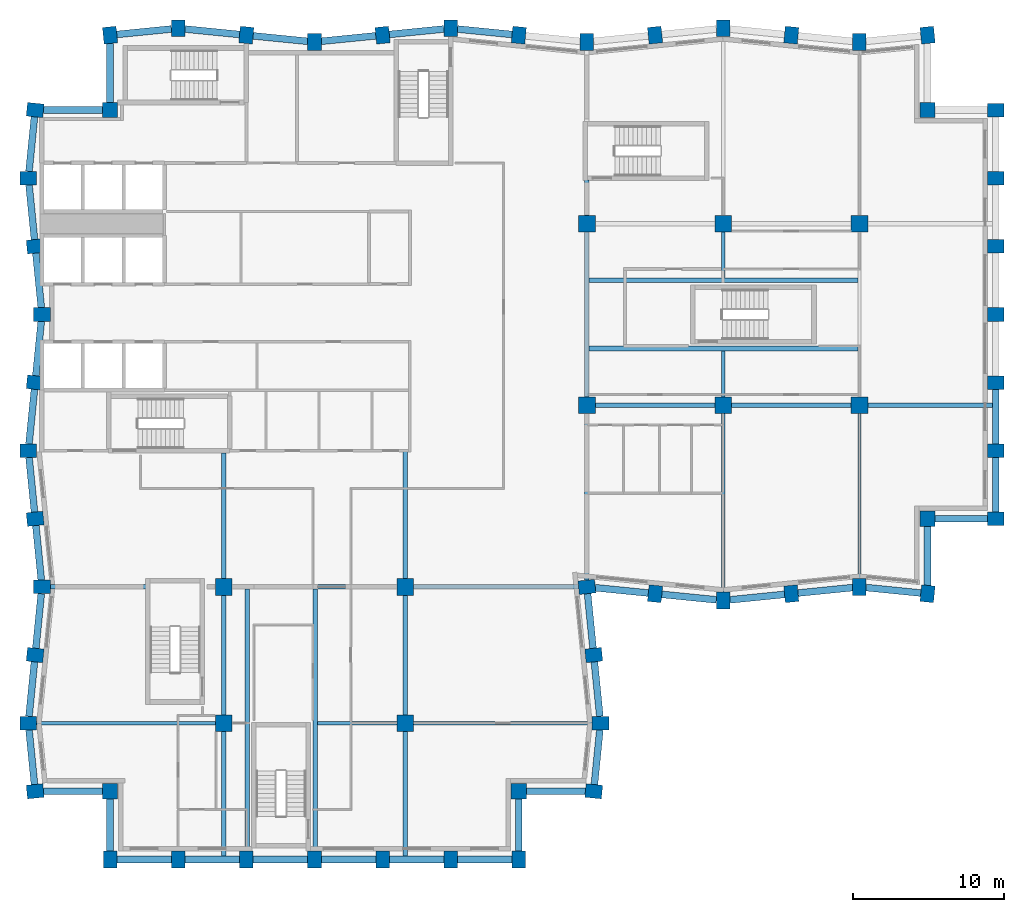
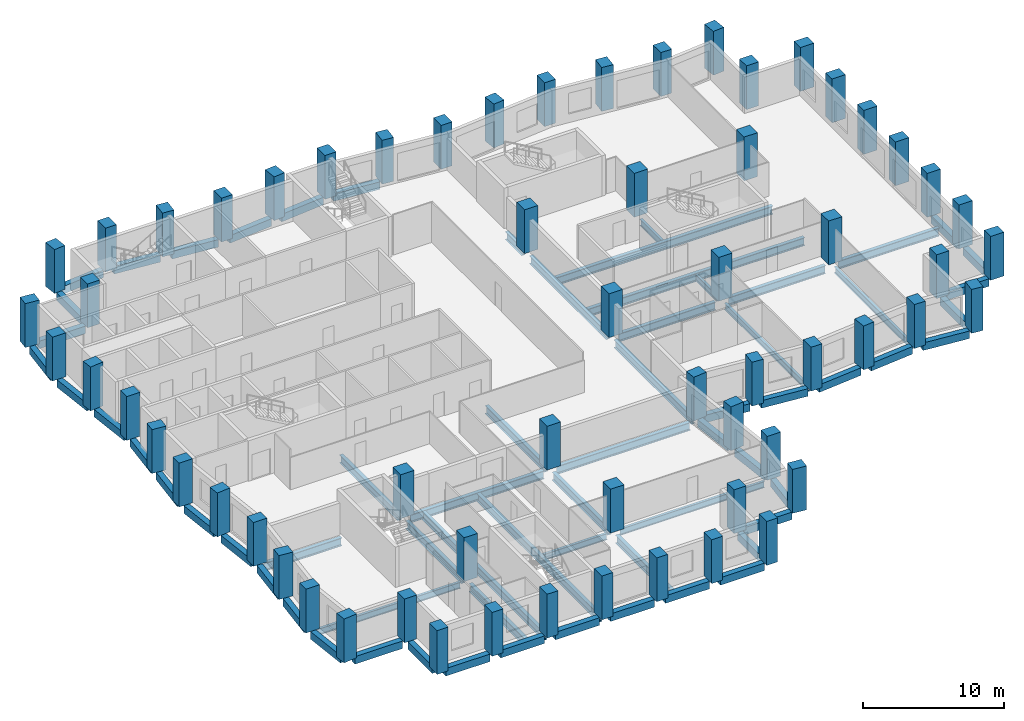
# One storey, part 1 of 10: 66 beams, 62 columns.
"""IFC4 building model written with IfcOpenShell, lengths in metres."""

from ifc_helpers import new_model, si_unit, direction, frame, origin, origin_2d, place, context, subcontext, project, spatial, rectangle, i_section, extrude, material, material_profile, profile_set, type_object, element, save


model = new_model("IFC4")

# Units and contexts
model_context = context("Model", 3, precision=1e-05, world=origin(), true_north=direction((0.0, 1.0)))
body_context = subcontext(model_context, "Body", "Model", "MODEL_VIEW")
ifc_project = project(units=[si_unit("LENGTHUNIT", "METRE"), si_unit("AREAUNIT", "SQUARE_METRE"), si_unit("VOLUMEUNIT", "CUBIC_METRE"), si_unit("PLANEANGLEUNIT", "RADIAN"), si_unit("MASSUNIT", "GRAM", prefix="KILO")], contexts=[model_context])

# Site, building, storey
site_placement = place(None, origin())
site = spatial("IfcSite", under=ifc_project, at=site_placement, CompositionType="ELEMENT")
building_placement = place(site_placement, origin())
building = spatial("IfcBuilding", under=site, at=building_placement, Name="Brondeck Convention Tower", CompositionType="ELEMENT")
storey_placement = place(building_placement, frame((0.0, 0.0, 151.0)))
storey = spatial("IfcBuildingStorey", under=building, at=storey_placement, Name="L36", CompositionType="ELEMENT", Elevation=151.0)

# Columns
ifc_material_1 = material(Name="Concrete C70/85", Category="concrete")
ifc_material_profile_1 = material_profile(ifc_material_1, rectangle(XDim=1.0, YDim=1.0, at=origin_2d()), Name="Corner column 1000x1000 Concrete C70/85")
ifc_profile_set_1 = profile_set([ifc_material_profile_1], Name="Concrete C70/85")
column_type_1 = type_object("IfcColumnType", Name="Corner column 1000x1000 Concrete C70/85", PredefinedType="COLUMN", material=ifc_profile_set_1)
for number, where, z_axis, x_axis, name in (
    (1, (4.5, 13.5, 0.0), (0.0, 0.0, 1.0), (1.0, 0.0, 0.0), "STR-COL-L36-NC-SWB9"),
    (2, (31.5, 13.5, 0.0), (0.0, 0.0, 1.0), (1.0, 0.0, 0.0), "STR-COL-L36-NC-SEB9"),
    (3, (58.5, 31.5, 0.0), (0.0, 0.0, 1.0), (1.0, 0.0, 0.0), "STR-COL-L36-NC-SEA63"),
    (4, (58.5, 58.5, 0.0), (0.0, 0.0, 1.0), (1.0, 0.0, 0.0), "STR-COL-L36-NC-NEA63"),
    (5, (4.5, 58.5, 0.0), (0.0, 0.0, 1.0), (1.0, 0.0, 0.0), "STR-COL-L36-NC-NW"),
):
    element("IfcColumn", number, at=place(storey_placement, frame(where, z_axis=z_axis, x_axis=x_axis)), inside=storey, type_object=column_type_1, Name=name, PredefinedType="COLUMN", context=body_context, shape_type="SweptSolid", body=[
        extrude(rectangle(XDim=1.0, YDim=1.0, at=origin_2d()), origin(), (0.0, 0.0, 1.0), 3.800048828125),
    ])
ifc_material_profile_2 = material_profile(ifc_material_1, rectangle(XDim=1.10009765625, YDim=1.10009765625, at=origin_2d()), Name="Interior column 1100x1100 Concrete C70/85")
ifc_profile_set_2 = profile_set([ifc_material_profile_2], Name="Concrete C70/85")
column_type_2 = type_object("IfcColumnType", Name="Interior column 1100x1100 Concrete C70/85", PredefinedType="COLUMN", material=ifc_profile_set_2)
for number, where, z_axis, x_axis, name in (
    (6, (12.0, 18.0, 0.0), (0.0, 0.0, 1.0), (1.0, 0.0, 0.0), "STR-COL-L36-IC-02"),
    (7, (12.0, 27.0, 0.0), (0.0, 0.0, 1.0), (1.0, 0.0, 0.0), "STR-COL-L36-IC-03"),
    (8, (24.0, 18.0, 0.0), (0.0, 0.0, 1.0), (1.0, 0.0, 0.0), "STR-COL-L36-IC-05"),
    (9, (24.0, 27.0, 0.0), (0.0, 0.0, 1.0), (1.0, 0.0, 0.0), "STR-COL-L36-IC-06"),
    (10, (36.0, 39.0, 0.0), (0.0, 0.0, 1.0), (1.0, 0.0, 0.0), "STR-COL-L36-IC-07"),
    (11, (36.0, 51.0, 0.0), (0.0, 0.0, 1.0), (1.0, 0.0, 0.0), "STR-COL-L36-IC-08"),
    (12, (45.0, 39.0, 0.0), (0.0, 0.0, 1.0), (1.0, 0.0, 0.0), "STR-COL-L36-IC-09"),
    (13, (45.0, 51.0, 0.0), (0.0, 0.0, 1.0), (1.0, 0.0, 0.0), "STR-COL-L36-IC-10"),
    (14, (54.0, 39.0, 0.0), (0.0, 0.0, 1.0), (1.0, 0.0, 0.0), "STR-COL-L36-IC-11"),
    (15, (54.0, 51.0, 0.0), (0.0, 0.0, 1.0), (1.0, 0.0, 0.0), "STR-COL-L36-IC-12"),
):
    element("IfcColumn", number, at=place(storey_placement, frame(where, z_axis=z_axis, x_axis=x_axis)), inside=storey, type_object=column_type_2, Name=name, PredefinedType="COLUMN", context=body_context, shape_type="SweptSolid", body=[
        extrude(rectangle(XDim=1.10009765625, YDim=1.10009765625, at=origin_2d()), origin(), (0.0, 0.0, 1.0), 3.800048828125),
    ])
ifc_material_profile_3 = material_profile(ifc_material_1, rectangle(XDim=0.89990234375, YDim=1.10009765625, at=origin_2d()), Name="Perimeter pier 900x1100 Concrete C70/85")
ifc_profile_set_3 = profile_set([ifc_material_profile_3], Name="Concrete C70/85")
column_type_3 = type_object("IfcColumnType", Name="Perimeter pier 900x1100 Concrete C70/85", PredefinedType="COLUMN", material=ifc_profile_set_3)
for number, where, z_axis, x_axis, name in (
    (16, (4.5, 9.0, 0.0), (0.0, 0.0, 1.0), (1.0, 0.0, 0.0), "STR-COL-L36-PC-B-S9-01"),
    (17, (9.0, 9.0, 0.0), (0.0, 0.0, 1.0), (1.0, 0.0, 0.0), "STR-COL-L36-PC-B-S9-02"),
    (18, (13.5, 9.0, 0.0), (0.0, 0.0, 1.0), (1.0, 0.0, 0.0), "STR-COL-L36-PC-B-S9-03"),
    (19, (18.0, 9.0, 0.0), (0.0, 0.0, 1.0), (1.0, 0.0, 0.0), "STR-COL-L36-PC-B-S9-04"),
    (20, (22.5, 9.0, 0.0), (0.0, 0.0, 1.0), (1.0, 0.0, 0.0), "STR-COL-L36-PC-B-S9-05"),
    (21, (27.0, 9.0, 0.0), (0.0, 0.0, 1.0), (1.0, 0.0, 0.0), "STR-COL-L36-PC-B-S9-06"),
    (22, (31.5, 9.0, 0.0), (0.0, 0.0, 1.0), (1.0, 0.0, 0.0), "STR-COL-L36-PC-B-S9-07"),
    (23, (36.449951171875, 13.5, 0.0), (0.0, 0.0, 1.0), (0.0995038382, 0.995037178292, 0.0), "STR-COL-L36-PC-B-E-03"),
    (24, (36.89990234375, 18.0, 0.0), (0.0, 0.0, 1.0), (0.0, 1.0, 0.0), "STR-COL-L36-PC-B-E-02"),
    (25, (36.449951171875, 22.5, 0.0), (0.0, 0.0, 1.0), (-0.0995038382, 0.995037178292, 0.0), "STR-COL-L36-PC-B-E-01"),
    (26, (36.0, 27.0, 0.0), (0.0, 0.0, 1.0), (-0.0995038382, 0.995037178292, 0.0), "STR-COL-L36-PC-B-E-00"),
    (27, (40.5, 26.550048828125, 0.0), (0.0, 0.0, 1.0), (0.995037178292, -0.0995038382, 0.0), "STR-COL-L36-PC-A-S-01"),
    (28, (45.0, 26.10009765625, 0.0), (0.0, 0.0, 1.0), (1.0, 0.0, 0.0), "STR-COL-L36-PC-A-S-02"),
    (29, (49.5, 26.550048828125, 0.0), (0.0, 0.0, 1.0), (0.995037178292, 0.0995038382, 0.0), "STR-COL-L36-PC-A-S-03"),
    (30, (54.0, 27.0, 0.0), (0.0, 0.0, 1.0), (1.0, 0.0, 0.0), "STR-COL-L36-PC-A-S-04"),
    (31, (58.5, 26.550048828125, 0.0), (0.0, 0.0, 1.0), (0.995037178292, -0.0995038382, 0.0), "STR-COL-L36-PC-A-S-05"),
    (32, (63.0, 31.5, 0.0), (0.0, 0.0, 1.0), (0.0, 1.0, 0.0), "STR-COL-L36-PC-A-E63-01"),
    (33, (63.0, 36.0, 0.0), (0.0, 0.0, 1.0), (0.0, 1.0, 0.0), "STR-COL-L36-PC-A-E63-02"),
    (34, (63.0, 40.5, 0.0), (0.0, 0.0, 1.0), (0.0, 1.0, 0.0), "STR-COL-L36-PC-A-E63-03"),
    (35, (63.0, 45.0, 0.0), (0.0, 0.0, 1.0), (0.0, 1.0, 0.0), "STR-COL-L36-PC-A-E63-04"),
    (36, (63.0, 49.5, 0.0), (0.0, 0.0, 1.0), (0.0, 1.0, 0.0), "STR-COL-L36-PC-A-E63-05"),
    (37, (63.0, 54.0, 0.0), (0.0, 0.0, 1.0), (0.0, 1.0, 0.0), "STR-COL-L36-PC-A-E63-06"),
    (38, (63.0, 58.5, 0.0), (0.0, 0.0, 1.0), (0.0, 1.0, 0.0), "STR-COL-L36-PC-A-E63-07"),
    (39, (58.5, 63.449951171875, 0.0), (0.0, 0.0, 1.0), (-0.995037178292, -0.0995038382, 0.0), "STR-COL-L36-PC-A-N-13"),
    (40, (54.0, 63.0, 0.0), (0.0, 0.0, 1.0), (-1.0, 0.0, 0.0), "STR-COL-L36-PC-A-N-12"),
    (41, (49.5, 63.449951171875, 0.0), (0.0, 0.0, 1.0), (-0.995037178292, 0.0995038382, 0.0), "STR-COL-L36-PC-A-N-11"),
    (42, (45.0, 63.89990234375, 0.0), (0.0, 0.0, 1.0), (-1.0, 0.0, 0.0), "STR-COL-L36-PC-A-N-10"),
    (43, (40.5, 63.449951171875, 0.0), (0.0, 0.0, 1.0), (-0.995037178292, -0.0995038382, 0.0), "STR-COL-L36-PC-A-N-09"),
    (44, (36.0, 63.0, 0.0), (0.0, 0.0, 1.0), (-1.0, 0.0, 0.0), "STR-COL-L36-PC-A-N-08"),
    (45, (31.5, 63.449951171875, 0.0), (0.0, 0.0, 1.0), (-0.995037178292, 0.0995038382, 0.0), "STR-COL-L36-PC-A-N-07"),
    (46, (27.0, 63.89990234375, 0.0), (0.0, 0.0, 1.0), (-1.0, 0.0, 0.0), "STR-COL-L36-PC-A-N-06"),
    (47, (22.5, 63.449951171875, 0.0), (0.0, 0.0, 1.0), (-0.995037178292, -0.0995038382, 0.0), "STR-COL-L36-PC-A-N-05"),
    (48, (18.0, 63.0, 0.0), (0.0, 0.0, 1.0), (-1.0, 0.0, 0.0), "STR-COL-L36-PC-A-N-04"),
    (49, (13.5, 63.449951171875, 0.0), (0.0, 0.0, 1.0), (-0.995037178292, 0.0995038382, 0.0), "STR-COL-L36-PC-A-N-03"),
    (50, (9.0, 63.89990234375, 0.0), (0.0, 0.0, 1.0), (-1.0, 0.0, 0.0), "STR-COL-L36-PC-A-N-02"),
    (51, (4.5, 63.449951171875, 0.0), (0.0, 0.0, 1.0), (-0.995037178292, -0.0995038382, 0.0), "STR-COL-L36-PC-A-N-01"),
    (52, (-0.449951171875, 58.5, 0.0), (0.0, 0.0, 1.0), (-0.0995038382, -0.995037178292, 0.0), "STR-COL-L36-PC-B-W-01"),
    (53, (-0.89990234375, 54.0, 0.0), (0.0, 0.0, 1.0), (0.0, -1.0, 0.0), "STR-COL-L36-PC-B-W-02"),
    (54, (-0.449951171875, 49.5, 0.0), (0.0, 0.0, 1.0), (0.0995038382, -0.995037178292, 0.0), "STR-COL-L36-PC-B-W-03"),
    (55, (0.0, 45.0, 0.0), (0.0, 0.0, 1.0), (0.0, -1.0, 0.0), "STR-COL-L36-PC-B-W-04"),
    (56, (-0.449951171875, 40.5, 0.0), (0.0, 0.0, 1.0), (-0.0995038382, -0.995037178292, 0.0), "STR-COL-L36-PC-B-W-05"),
    (57, (-0.89990234375, 36.0, 0.0), (0.0, 0.0, 1.0), (0.0, -1.0, 0.0), "STR-COL-L36-PC-B-W-06"),
    (58, (-0.449951171875, 31.5, 0.0), (0.0, 0.0, 1.0), (0.0995038382, -0.995037178292, 0.0), "STR-COL-L36-PC-B-W-07"),
    (59, (0.0, 27.0, 0.0), (0.0, 0.0, 1.0), (0.0, -1.0, 0.0), "STR-COL-L36-PC-B-W-08"),
    (60, (-0.449951171875, 22.5, 0.0), (0.0, 0.0, 1.0), (-0.0995038382, -0.995037178292, 0.0), "STR-COL-L36-PC-B-W-09"),
    (61, (-0.89990234375, 18.0, 0.0), (0.0, 0.0, 1.0), (0.0, -1.0, 0.0), "STR-COL-L36-PC-B-W-10"),
    (62, (-0.449951171875, 13.5, 0.0), (0.0, 0.0, 1.0), (0.0995038382, -0.995037178292, 0.0), "STR-COL-L36-PC-B-W-11"),
):
    element("IfcColumn", number, at=place(storey_placement, frame(where, z_axis=z_axis, x_axis=x_axis)), inside=storey, type_object=column_type_3, Name=name, PredefinedType="COLUMN", context=body_context, shape_type="SweptSolid", body=[
        extrude(rectangle(XDim=0.89990234375, YDim=1.10009765625, at=origin_2d()), origin(), (0.0, 0.0, 1.0), 3.800048828125),
    ])

# Beams
ifc_material_2 = material(Name="Steel S355", Category="steel")
ifc_material_profile_4 = material_profile(ifc_material_2, i_section(OverallWidth=0.2099609375, OverallDepth=0.550048828125, WebThickness=0.010986328125, FlangeThickness=0.01708984375, FilletRadius=0.02392578125, at=origin_2d()), Name="IPE 550")
ifc_profile_set_4 = profile_set([ifc_material_profile_4], Name="Steel S355")
beam_type_1 = type_object("IfcBeamType", Name="Floor beam IPE 550", PredefinedType="BEAM", material=ifc_profile_set_4)
beam_1_placement = place(storey_placement, frame((45.0, 26.64990234375, -0.574951171875), z_axis=(0.0, 1.0, 0.0), x_axis=(-1.0, 0.0, 0.0)))
element("IfcBeam", 63, at=beam_1_placement, inside=storey, type_object=beam_type_1, Name="STR-FB-L36-001", PredefinedType="BEAM", context=body_context, shape_type="SweptSolid", body=[
    extrude(i_section(OverallWidth=0.2099609375, OverallDepth=0.550048828125, WebThickness=0.010986328125, FlangeThickness=0.01708984375, FilletRadius=0.02392578125, at=origin_2d()), origin(), (0.0, 0.0, 1.0), 11.800048828125),
])
beam_2_placement = place(storey_placement, frame((54.0, 27.550048828125, -0.574951171875), z_axis=(0.0, 1.0, 0.0), x_axis=(-1.0, 0.0, 0.0)))
element("IfcBeam", 64, at=beam_2_placement, inside=storey, type_object=beam_type_1, Name="STR-FB-L36-003", PredefinedType="BEAM", context=body_context, shape_type="SweptSolid", body=[
    extrude(i_section(OverallWidth=0.2099609375, OverallDepth=0.550048828125, WebThickness=0.010986328125, FlangeThickness=0.01708984375, FilletRadius=0.02392578125, at=origin_2d()), origin(), (0.0, 0.0, 1.0), 10.89990234375),
])
for number, where, z_axis, x_axis, name in (
    (65, (-0.35009765625, 18.0, -0.574951171875), (1.0, 0.0, 0.0), (0.0, 1.0, 0.0), "STR-FB-L36-006"),
    (66, (24.550048828125, 18.0, -0.574951171875), (1.0, 0.0, 0.0), (0.0, 1.0, 0.0), "STR-FB-L36-007"),
):
    element("IfcBeam", number, at=place(storey_placement, frame(where, z_axis=z_axis, x_axis=x_axis)), inside=storey, type_object=beam_type_1, Name=name, PredefinedType="BEAM", context=body_context, shape_type="SweptSolid", body=[
        extrude(i_section(OverallWidth=0.2099609375, OverallDepth=0.550048828125, WebThickness=0.010986328125, FlangeThickness=0.01708984375, FilletRadius=0.02392578125, at=origin_2d()), origin(), (0.0, 0.0, 1.0), 11.800048828125),
    ])
for number, where, z_axis, x_axis, name in (
    (67, (45.0, 39.550048828125, -0.574951171875), (0.0, 1.0, 0.0), (-1.0, 0.0, 0.0), "STR-FB-L36-008"),
    (68, (45.0, 47.39990234375, -0.574951171875), (0.0, 1.0, 0.0), (-1.0, 0.0, 0.0), "STR-FB-L36-009"),
):
    element("IfcBeam", number, at=place(storey_placement, frame(where, z_axis=z_axis, x_axis=x_axis)), inside=storey, type_object=beam_type_1, Name=name, PredefinedType="BEAM", context=body_context, shape_type="SweptSolid", body=[
        extrude(i_section(OverallWidth=0.2099609375, OverallDepth=0.550048828125, WebThickness=0.010986328125, FlangeThickness=0.01708984375, FilletRadius=0.02392578125, at=origin_2d()), origin(), (0.0, 0.0, 1.0), 3.050048828125),
    ])
beam_3_placement = place(storey_placement, frame((18.199951171875, 18.0, -0.574951171875), z_axis=(1.0, 0.0, 0.0), x_axis=(0.0, 1.0, 0.0)))
element("IfcBeam", 69, at=beam_3_placement, inside=storey, type_object=beam_type_1, Name="STR-FB-L36-010", PredefinedType="BEAM", context=body_context, shape_type="SweptSolid", body=[
    extrude(i_section(OverallWidth=0.2099609375, OverallDepth=0.550048828125, WebThickness=0.010986328125, FlangeThickness=0.01708984375, FilletRadius=0.02392578125, at=origin_2d()), origin(), (0.0, 0.0, 1.0), 5.25),
])
ifc_material_profile_5 = material_profile(ifc_material_2, i_section(OverallWidth=0.300048828125, OverallDepth=0.699951171875, WebThickness=0.01708984375, FlangeThickness=0.031982421875, FilletRadius=0.027099609375, at=origin_2d()), Name="HEB 700")
ifc_profile_set_5 = profile_set([ifc_material_profile_5], Name="Steel S355")
beam_type_2 = type_object("IfcBeamType", Name="Girder HEB 700", PredefinedType="BEAM", material=ifc_profile_set_5)
for number, where, z_axis, x_axis, name in (
    (70, (36.550048828125, 39.0, -0.64990234375), (1.0, 0.0, 0.0), (0.0, 1.0, 0.0), "STR-GR-L36-001"),
    (71, (45.550048828125, 39.0, -0.64990234375), (1.0, 0.0, 0.0), (0.0, 1.0, 0.0), "STR-GR-L36-002"),
):
    element("IfcBeam", number, at=place(storey_placement, frame(where, z_axis=z_axis, x_axis=x_axis)), inside=storey, type_object=beam_type_2, Name=name, PredefinedType="BEAM", context=body_context, shape_type="SweptSolid", body=[
        extrude(i_section(OverallWidth=0.300048828125, OverallDepth=0.699951171875, WebThickness=0.01708984375, FlangeThickness=0.031982421875, FilletRadius=0.027099609375, at=origin_2d()), origin(), (0.0, 0.0, 1.0), 7.89990234375),
    ])
beam_4_placement = place(storey_placement, frame((54.550048828125, 39.0, -0.64990234375), z_axis=(1.0, 0.0, 0.0), x_axis=(0.0, 1.0, 0.0)))
element("IfcBeam", 72, at=beam_4_placement, inside=storey, type_object=beam_type_2, Name="STR-GR-L36-003", PredefinedType="BEAM", context=body_context, shape_type="SweptSolid", body=[
    extrude(i_section(OverallWidth=0.300048828125, OverallDepth=0.699951171875, WebThickness=0.01708984375, FlangeThickness=0.031982421875, FilletRadius=0.027099609375, at=origin_2d()), origin(), (0.0, 0.0, 1.0), 8.224853515625),
])
beam_5_placement = place(storey_placement, frame((36.0, 27.4521484375, -0.64990234375), z_axis=(0.0, 1.0, 0.0), x_axis=(-1.0, 0.0, 0.0)))
element("IfcBeam", 73, at=beam_5_placement, inside=storey, type_object=beam_type_2, Name="STR-GR-L36-007", PredefinedType="BEAM", context=body_context, shape_type="SweptSolid", body=[
    extrude(i_section(OverallWidth=0.300048828125, OverallDepth=0.699951171875, WebThickness=0.01708984375, FlangeThickness=0.031982421875, FilletRadius=0.027099609375, at=origin_2d()), origin(), (0.0, 0.0, 1.0), 10.997802734375),
])
beam_6_placement = place(storey_placement, frame((36.0, 39.550048828125, -0.64990234375), z_axis=(0.0, 1.0, 0.0), x_axis=(-1.0, 0.0, 0.0)))
element("IfcBeam", 74, at=beam_6_placement, inside=storey, type_object=beam_type_2, Name="STR-GR-L36-008", PredefinedType="BEAM", context=body_context, shape_type="SweptSolid", body=[
    extrude(i_section(OverallWidth=0.300048828125, OverallDepth=0.699951171875, WebThickness=0.01708984375, FlangeThickness=0.031982421875, FilletRadius=0.027099609375, at=origin_2d()), origin(), (0.0, 0.0, 1.0), 10.89990234375),
])
beam_7_placement = place(storey_placement, frame((36.0, 51.550048828125, -0.64990234375), z_axis=(0.0, 1.0, 0.0), x_axis=(-1.0, 0.0, 0.0)))
element("IfcBeam", 75, at=beam_7_placement, inside=storey, type_object=beam_type_2, Name="STR-GR-L36-009", PredefinedType="BEAM", context=body_context, shape_type="SweptSolid", body=[
    extrude(i_section(OverallWidth=0.300048828125, OverallDepth=0.699951171875, WebThickness=0.01708984375, FlangeThickness=0.031982421875, FilletRadius=0.027099609375, at=origin_2d()), origin(), (0.0, 0.0, 1.0), 2.329833984375),
])
beam_8_placement = place(storey_placement, frame((12.0, 35.85009765625, -0.64990234375), z_axis=(0.0, -1.0, 0.0), x_axis=(1.0, 0.0, 0.0)))
element("IfcBeam", 76, at=beam_8_placement, inside=storey, type_object=beam_type_2, Name="STR-GR-L36-011", PredefinedType="BEAM", context=body_context, shape_type="SweptSolid", body=[
    extrude(i_section(OverallWidth=0.300048828125, OverallDepth=0.699951171875, WebThickness=0.01708984375, FlangeThickness=0.031982421875, FilletRadius=0.027099609375, at=origin_2d()), origin(), (0.0, 0.0, 1.0), 8.300048828125),
])
beam_9_placement = place(storey_placement, frame((12.0, 26.449951171875, -0.64990234375), z_axis=(0.0, -1.0, 0.0), x_axis=(1.0, 0.0, 0.0)))
element("IfcBeam", 77, at=beam_9_placement, inside=storey, type_object=beam_type_2, Name="STR-GR-L36-012", PredefinedType="BEAM", context=body_context, shape_type="SweptSolid", body=[
    extrude(i_section(OverallWidth=0.300048828125, OverallDepth=0.699951171875, WebThickness=0.01708984375, FlangeThickness=0.031982421875, FilletRadius=0.027099609375, at=origin_2d()), origin(), (0.0, 0.0, 1.0), 7.89990234375),
])
beam_10_placement = place(storey_placement, frame((12.0, 17.449951171875, -0.64990234375), z_axis=(0.0, -1.0, 0.0), x_axis=(1.0, 0.0, 0.0)))
element("IfcBeam", 78, at=beam_10_placement, inside=storey, type_object=beam_type_2, Name="STR-GR-L36-013", PredefinedType="BEAM", context=body_context, shape_type="SweptSolid", body=[
    extrude(i_section(OverallWidth=0.300048828125, OverallDepth=0.699951171875, WebThickness=0.01708984375, FlangeThickness=0.031982421875, FilletRadius=0.027099609375, at=origin_2d()), origin(), (0.0, 0.0, 1.0), 8.224853515625),
])
beam_11_placement = place(storey_placement, frame((24.0, 35.955078125, -0.64990234375), z_axis=(0.0, -1.0, 0.0), x_axis=(1.0, 0.0, 0.0)))
element("IfcBeam", 79, at=beam_11_placement, inside=storey, type_object=beam_type_2, Name="STR-GR-L36-014", PredefinedType="BEAM", context=body_context, shape_type="SweptSolid", body=[
    extrude(i_section(OverallWidth=0.300048828125, OverallDepth=0.699951171875, WebThickness=0.01708984375, FlangeThickness=0.031982421875, FilletRadius=0.027099609375, at=origin_2d()), origin(), (0.0, 0.0, 1.0), 8.405029296875),
])
beam_12_placement = place(storey_placement, frame((24.0, 26.449951171875, -0.64990234375), z_axis=(0.0, -1.0, 0.0), x_axis=(1.0, 0.0, 0.0)))
element("IfcBeam", 80, at=beam_12_placement, inside=storey, type_object=beam_type_2, Name="STR-GR-L36-015", PredefinedType="BEAM", context=body_context, shape_type="SweptSolid", body=[
    extrude(i_section(OverallWidth=0.300048828125, OverallDepth=0.699951171875, WebThickness=0.01708984375, FlangeThickness=0.031982421875, FilletRadius=0.027099609375, at=origin_2d()), origin(), (0.0, 0.0, 1.0), 7.89990234375),
])
beam_13_placement = place(storey_placement, frame((24.0, 17.449951171875, -0.64990234375), z_axis=(0.0, -1.0, 0.0), x_axis=(1.0, 0.0, 0.0)))
element("IfcBeam", 81, at=beam_13_placement, inside=storey, type_object=beam_type_2, Name="STR-GR-L36-016", PredefinedType="BEAM", context=body_context, shape_type="SweptSolid", body=[
    extrude(i_section(OverallWidth=0.300048828125, OverallDepth=0.699951171875, WebThickness=0.01708984375, FlangeThickness=0.031982421875, FilletRadius=0.027099609375, at=origin_2d()), origin(), (0.0, 0.0, 1.0), 8.224853515625),
])
beam_14_placement = place(storey_placement, frame((0.550048828125, 27.0, -0.64990234375), z_axis=(1.0, 0.0, 0.0), x_axis=(0.0, 1.0, 0.0)))
element("IfcBeam", 82, at=beam_14_placement, inside=storey, type_object=beam_type_2, Name="STR-GR-L36-017", PredefinedType="BEAM", context=body_context, shape_type="SweptSolid", body=[
    extrude(i_section(OverallWidth=0.300048828125, OverallDepth=0.699951171875, WebThickness=0.01708984375, FlangeThickness=0.031982421875, FilletRadius=0.027099609375, at=origin_2d()), origin(), (0.0, 0.0, 1.0), 6.329833984375),
])
beam_15_placement = place(storey_placement, frame((12.550048828125, 27.0, -0.64990234375), z_axis=(1.0, 0.0, 0.0), x_axis=(0.0, 1.0, 0.0)))
element("IfcBeam", 83, at=beam_15_placement, inside=storey, type_object=beam_type_2, Name="STR-GR-L36-018", PredefinedType="BEAM", context=body_context, shape_type="SweptSolid", body=[
    extrude(i_section(OverallWidth=0.300048828125, OverallDepth=0.699951171875, WebThickness=0.01708984375, FlangeThickness=0.031982421875, FilletRadius=0.027099609375, at=origin_2d()), origin(), (0.0, 0.0, 1.0), 10.89990234375),
])
beam_16_placement = place(storey_placement, frame((24.550048828125, 27.0, -0.64990234375), z_axis=(1.0, 0.0, 0.0), x_axis=(0.0, 1.0, 0.0)))
element("IfcBeam", 84, at=beam_16_placement, inside=storey, type_object=beam_type_2, Name="STR-GR-L36-019", PredefinedType="BEAM", context=body_context, shape_type="SweptSolid", body=[
    extrude(i_section(OverallWidth=0.300048828125, OverallDepth=0.699951171875, WebThickness=0.01708984375, FlangeThickness=0.031982421875, FilletRadius=0.027099609375, at=origin_2d()), origin(), (0.0, 0.0, 1.0), 10.897216796875),
])
for number, where, z_axis, x_axis, name in (
    (85, (36.14990234375, 42.75, -0.64990234375), (1.0, 0.0, 0.0), (0.0, 1.0, 0.0), "STR-GR-L36-020"),
    (86, (36.14990234375, 47.25, -0.64990234375), (1.0, 0.0, 0.0), (0.0, 1.0, 0.0), "STR-GR-L36-021"),
):
    element("IfcBeam", number, at=place(storey_placement, frame(where, z_axis=z_axis, x_axis=x_axis)), inside=storey, type_object=beam_type_2, Name=name, PredefinedType="BEAM", context=body_context, shape_type="SweptSolid", body=[
        extrude(i_section(OverallWidth=0.300048828125, OverallDepth=0.699951171875, WebThickness=0.01708984375, FlangeThickness=0.031982421875, FilletRadius=0.027099609375, at=origin_2d()), origin(), (0.0, 0.0, 1.0), 17.7451171875),
    ])
for number, where, z_axis, x_axis, name in (
    (87, (13.550048828125, 9.550048828125, -0.64990234375), (0.0, 1.0, 0.0), (-1.0, 0.0, 0.0), "STR-GR-L36-022"),
    (88, (18.050048828125, 9.550048828125, -0.64990234375), (0.0, 1.0, 0.0), (-1.0, 0.0, 0.0), "STR-GR-L36-023"),
):
    element("IfcBeam", number, at=place(storey_placement, frame(where, z_axis=z_axis, x_axis=x_axis)), inside=storey, type_object=beam_type_2, Name=name, PredefinedType="BEAM", context=body_context, shape_type="SweptSolid", body=[
        extrude(i_section(OverallWidth=0.300048828125, OverallDepth=0.699951171875, WebThickness=0.01708984375, FlangeThickness=0.031982421875, FilletRadius=0.027099609375, at=origin_2d()), origin(), (0.0, 0.0, 1.0), 17.300048828125),
    ])
ifc_material_profile_6 = material_profile(ifc_material_1, rectangle(XDim=0.449951171875, YDim=0.64990234375, at=origin_2d()), Name="Precast spandrel 450x650 Concrete C70/85")
ifc_profile_set_6 = profile_set([ifc_material_profile_6], Name="Concrete C70/85")
beam_type_3 = type_object("IfcBeamType", Name="Precast spandrel 450x650 Concrete C70/85", PredefinedType="SPANDREL", material=ifc_profile_set_6)
for number, where, z_axis, x_axis, name in (
    (89, (4.949951171875, 9.0, -0.324951171875), (1.0, 0.0, 0.0), (0.0, 1.0, 0.0), "STR-SP-L36-001"),
    (90, (9.449951171875, 9.0, -0.324951171875), (1.0, 0.0, 0.0), (0.0, 1.0, 0.0), "STR-SP-L36-002"),
    (91, (13.949951171875, 9.0, -0.324951171875), (1.0, 0.0, 0.0), (0.0, 1.0, 0.0), "STR-SP-L36-003"),
    (92, (18.449951171875, 9.0, -0.324951171875), (1.0, 0.0, 0.0), (0.0, 1.0, 0.0), "STR-SP-L36-004"),
    (93, (22.949951171875, 9.0, -0.324951171875), (1.0, 0.0, 0.0), (0.0, 1.0, 0.0), "STR-SP-L36-005"),
    (94, (27.449951171875, 9.0, -0.324951171875), (1.0, 0.0, 0.0), (0.0, 1.0, 0.0), "STR-SP-L36-006"),
):
    element("IfcBeam", number, at=place(storey_placement, frame(where, z_axis=z_axis, x_axis=x_axis)), inside=storey, type_object=beam_type_3, Name=name, PredefinedType="SPANDREL", context=body_context, shape_type="SweptSolid", body=[
        extrude(rectangle(XDim=0.449951171875, YDim=0.64990234375, at=origin_2d()), origin(), (0.0, 0.0, 1.0), 3.60009765625),
    ])
beam_17_placement = place(storey_placement, frame((31.5, 9.550048828125, -0.324951171875), z_axis=(0.0, 1.0, 0.0), x_axis=(-1.0, 0.0, 0.0)))
element("IfcBeam", 95, at=beam_17_placement, inside=storey, type_object=beam_type_3, Name="STR-SP-L36-007", PredefinedType="SPANDREL", context=body_context, shape_type="SweptSolid", body=[
    extrude(rectangle(XDim=0.449951171875, YDim=0.64990234375, at=origin_2d()), origin(), (0.0, 0.0, 1.0), 3.449951171875),
])
beam_18_placement = place(storey_placement, frame((32.0, 13.5, -0.324951171875), z_axis=(1.0, 0.0, 0.0), x_axis=(0.0, 1.0, 0.0)))
element("IfcBeam", 96, at=beam_18_placement, inside=storey, type_object=beam_type_3, Name="STR-SP-L36-008", PredefinedType="SPANDREL", context=body_context, shape_type="SweptSolid", body=[
    extrude(rectangle(XDim=0.449951171875, YDim=0.64990234375, at=origin_2d()), origin(), (0.0, 0.0, 1.0), 3.897216796875),
])
for number, where, z_axis, x_axis, name in (
    (97, (36.494873046875, 13.94775390625, -0.324951171875), (0.099470334057, 0.995040528141, 0.0), (-0.995040528141, 0.099470334057, 0.0), "STR-SP-L36-009"),
    (98, (36.85498046875, 18.449951171875, -0.324951171875), (-0.099470334057, 0.995040528141, 0.0), (-0.995040528141, -0.099470334057, 0.0), "STR-SP-L36-010"),
):
    element("IfcBeam", number, at=place(storey_placement, frame(where, z_axis=z_axis, x_axis=x_axis)), inside=storey, type_object=beam_type_3, Name=name, PredefinedType="SPANDREL", context=body_context, shape_type="SweptSolid", body=[
        extrude(rectangle(XDim=0.449951171875, YDim=0.64990234375, at=origin_2d()), origin(), (0.0, 0.0, 1.0), 3.620361328125),
    ])
beam_19_placement = place(storey_placement, frame((36.4052734375, 22.94775390625, -0.324951171875), z_axis=(-0.099543756114, 0.995033185687, 0.0), x_axis=(-0.995033185687, -0.099543756114, 0.0)))
element("IfcBeam", 99, at=beam_19_placement, inside=storey, type_object=beam_type_3, Name="STR-SP-L36-011", PredefinedType="SPANDREL", context=body_context, shape_type="SweptSolid", body=[
    extrude(rectangle(XDim=0.449951171875, YDim=0.64990234375, at=origin_2d()), origin(), (0.0, 0.0, 1.0), 3.62255859375),
])
beam_20_placement = place(storey_placement, frame((36.558349609375, 26.944091796875, -0.324951171875), z_axis=(0.995037878598, -0.099496834901, 0.0), x_axis=(0.099496834901, 0.995037878598, 0.0)))
element("IfcBeam", 100, at=beam_20_placement, inside=storey, type_object=beam_type_3, Name="STR-SP-L36-012", PredefinedType="SPANDREL", context=body_context, shape_type="SweptSolid", body=[
    extrude(rectangle(XDim=0.449951171875, YDim=0.64990234375, at=origin_2d()), origin(), (0.0, 0.0, 1.0), 3.51123046875),
])
for number, where, z_axis, x_axis, name in (
    (101, (40.94775390625, 26.505126953125, -0.324951171875), (0.995040528141, -0.099470334057, 0.0), (0.099470334057, 0.995040528141, 0.0), "STR-SP-L36-013"),
    (102, (45.449951171875, 26.14501953125, -0.324951171875), (0.995040528141, 0.099470334057, 0.0), (-0.099470334057, 0.995040528141, 0.0), "STR-SP-L36-014"),
    (103, (49.94775390625, 26.5947265625, -0.324951171875), (0.995033851182, 0.099537103649, 0.0), (-0.099537103649, 0.995033851182, 0.0), "STR-SP-L36-015"),
    (104, (54.449951171875, 26.955078125, -0.324951171875), (0.995033851182, -0.099537103649, 0.0), (0.099537103649, 0.995033851182, 0.0), "STR-SP-L36-016"),
):
    element("IfcBeam", number, at=place(storey_placement, frame(where, z_axis=z_axis, x_axis=x_axis)), inside=storey, type_object=beam_type_3, Name=name, PredefinedType="SPANDREL", context=body_context, shape_type="SweptSolid", body=[
        extrude(rectangle(XDim=0.449951171875, YDim=0.64990234375, at=origin_2d()), origin(), (0.0, 0.0, 1.0), 3.620361328125),
    ])
beam_21_placement = place(storey_placement, frame((58.5, 27.102783203125, -0.324951171875), z_axis=(0.0, 1.0, 0.0), x_axis=(-1.0, 0.0, 0.0)))
element("IfcBeam", 105, at=beam_21_placement, inside=storey, type_object=beam_type_3, Name="STR-SP-L36-017", PredefinedType="SPANDREL", context=body_context, shape_type="SweptSolid", body=[
    extrude(rectangle(XDim=0.449951171875, YDim=0.64990234375, at=origin_2d()), origin(), (0.0, 0.0, 1.0), 3.897216796875),
])
beam_22_placement = place(storey_placement, frame((59.0, 31.5, -0.324951171875), z_axis=(1.0, 0.0, 0.0), x_axis=(0.0, 1.0, 0.0)))
element("IfcBeam", 106, at=beam_22_placement, inside=storey, type_object=beam_type_3, Name="STR-SP-L36-018", PredefinedType="SPANDREL", context=body_context, shape_type="SweptSolid", body=[
    extrude(rectangle(XDim=0.449951171875, YDim=0.64990234375, at=origin_2d()), origin(), (0.0, 0.0, 1.0), 3.449951171875),
])
for number, where, z_axis, x_axis, name in (
    (107, (63.0, 31.949951171875, -0.324951171875), (0.0, 1.0, 0.0), (-1.0, 0.0, 0.0), "STR-SP-L36-019"),
    (108, (63.0, 36.449951171875, -0.324951171875), (0.0, 1.0, 0.0), (-1.0, 0.0, 0.0), "STR-SP-L36-020"),
):
    element("IfcBeam", number, at=place(storey_placement, frame(where, z_axis=z_axis, x_axis=x_axis)), inside=storey, type_object=beam_type_3, Name=name, PredefinedType="SPANDREL", context=body_context, shape_type="SweptSolid", body=[
        extrude(rectangle(XDim=0.449951171875, YDim=0.64990234375, at=origin_2d()), origin(), (0.0, 0.0, 1.0), 3.60009765625),
    ])
for number, where, z_axis, x_axis, name in (
    (109, (31.05224609375, 63.494873046875, -0.324951171875), (-0.995040528141, 0.099470334057, 0.0), (-0.099470334057, -0.995040528141, 0.0), "STR-SP-L36-033"),
    (110, (26.550048828125, 63.85498046875, -0.324951171875), (-0.995040528141, -0.099470334057, 0.0), (0.099470334057, -0.995040528141, 0.0), "STR-SP-L36-034"),
    (111, (22.05224609375, 63.4052734375, -0.324951171875), (-0.995033851182, -0.099537103649, 0.0), (0.099537103649, -0.995033851182, 0.0), "STR-SP-L36-035"),
    (112, (17.550048828125, 63.044921875, -0.324951171875), (-0.995033851182, 0.099537103649, 0.0), (-0.099537103649, -0.995033851182, 0.0), "STR-SP-L36-036"),
    (113, (13.05224609375, 63.494873046875, -0.324951171875), (-0.995040528141, 0.099470334057, 0.0), (-0.099470334057, -0.995040528141, 0.0), "STR-SP-L36-037"),
    (114, (8.550048828125, 63.85498046875, -0.324951171875), (-0.995040528141, -0.099470334057, 0.0), (0.099470334057, -0.995040528141, 0.0), "STR-SP-L36-038"),
):
    element("IfcBeam", number, at=place(storey_placement, frame(where, z_axis=z_axis, x_axis=x_axis)), inside=storey, type_object=beam_type_3, Name=name, PredefinedType="SPANDREL", context=body_context, shape_type="SweptSolid", body=[
        extrude(rectangle(XDim=0.449951171875, YDim=0.64990234375, at=origin_2d()), origin(), (0.0, 0.0, 1.0), 3.620361328125),
    ])
for number, where, z_axis, x_axis, name in (
    (115, (4.5, 62.897216796875, -0.324951171875), (0.0, -1.0, 0.0), (1.0, 0.0, 0.0), "STR-SP-L36-039"),
    (116, (4.0, 58.5, -0.324951171875), (-1.0, 0.0, 0.0), (0.0, -1.0, 0.0), "STR-SP-L36-040"),
):
    element("IfcBeam", number, at=place(storey_placement, frame(where, z_axis=z_axis, x_axis=x_axis)), inside=storey, type_object=beam_type_3, Name=name, PredefinedType="SPANDREL", context=body_context, shape_type="SweptSolid", body=[
        extrude(rectangle(XDim=0.449951171875, YDim=0.64990234375, at=origin_2d()), origin(), (0.0, 0.0, 1.0), 3.897216796875),
    ])
for number, where, z_axis, x_axis, name in (
    (117, (-0.494873046875, 58.05224609375, -0.324951171875), (-0.099470334057, -0.995040528141, 0.0), (0.995040528141, -0.099470334057, 0.0), "STR-SP-L36-041"),
    (118, (-0.85498046875, 53.550048828125, -0.324951171875), (0.099470334057, -0.995040528141, 0.0), (0.995040528141, 0.099470334057, 0.0), "STR-SP-L36-042"),
    (119, (-0.4052734375, 49.05224609375, -0.324951171875), (0.099537103649, -0.995033851182, 0.0), (0.995033851182, 0.099537103649, 0.0), "STR-SP-L36-043"),
    (120, (-0.044921875, 44.550048828125, -0.324951171875), (-0.099537103649, -0.995033851182, 0.0), (0.995033851182, -0.099537103649, 0.0), "STR-SP-L36-044"),
    (121, (-0.494873046875, 40.05224609375, -0.324951171875), (-0.099470334057, -0.995040528141, 0.0), (0.995040528141, -0.099470334057, 0.0), "STR-SP-L36-045"),
    (122, (-0.85498046875, 35.550048828125, -0.324951171875), (0.099470334057, -0.995040528141, 0.0), (0.995040528141, 0.099470334057, 0.0), "STR-SP-L36-046"),
    (123, (-0.4052734375, 31.05224609375, -0.324951171875), (0.099537103649, -0.995033851182, 0.0), (0.995033851182, 0.099537103649, 0.0), "STR-SP-L36-047"),
    (124, (-0.044921875, 26.550048828125, -0.324951171875), (-0.099537103649, -0.995033851182, 0.0), (0.995033851182, -0.099537103649, 0.0), "STR-SP-L36-048"),
    (125, (-0.494873046875, 22.05224609375, -0.324951171875), (-0.099470334057, -0.995040528141, 0.0), (0.995040528141, -0.099470334057, 0.0), "STR-SP-L36-049"),
    (126, (-0.85498046875, 17.550048828125, -0.324951171875), (0.099470334057, -0.995040528141, 0.0), (0.995040528141, 0.099470334057, 0.0), "STR-SP-L36-050"),
):
    element("IfcBeam", number, at=place(storey_placement, frame(where, z_axis=z_axis, x_axis=x_axis)), inside=storey, type_object=beam_type_3, Name=name, PredefinedType="SPANDREL", context=body_context, shape_type="SweptSolid", body=[
        extrude(rectangle(XDim=0.449951171875, YDim=0.64990234375, at=origin_2d()), origin(), (0.0, 0.0, 1.0), 3.620361328125),
    ])
beam_23_placement = place(storey_placement, frame((0.102783203125, 13.5, -0.324951171875), z_axis=(1.0, 0.0, 0.0), x_axis=(0.0, 1.0, 0.0)))
element("IfcBeam", 127, at=beam_23_placement, inside=storey, type_object=beam_type_3, Name="STR-SP-L36-051", PredefinedType="SPANDREL", context=body_context, shape_type="SweptSolid", body=[
    extrude(rectangle(XDim=0.449951171875, YDim=0.64990234375, at=origin_2d()), origin(), (0.0, 0.0, 1.0), 3.897216796875),
])
beam_24_placement = place(storey_placement, frame((4.5, 13.0, -0.324951171875), z_axis=(0.0, -1.0, 0.0), x_axis=(1.0, 0.0, 0.0)))
element("IfcBeam", 128, at=beam_24_placement, inside=storey, type_object=beam_type_3, Name="STR-SP-L36-052", PredefinedType="SPANDREL", context=body_context, shape_type="SweptSolid", body=[
    extrude(rectangle(XDim=0.449951171875, YDim=0.64990234375, at=origin_2d()), origin(), (0.0, 0.0, 1.0), 3.449951171875),
])

save(model, "model.ifc")
